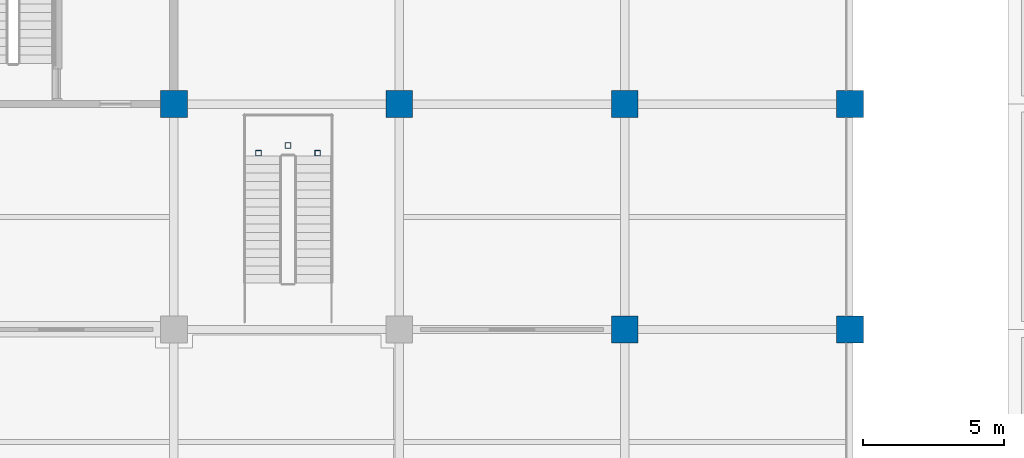
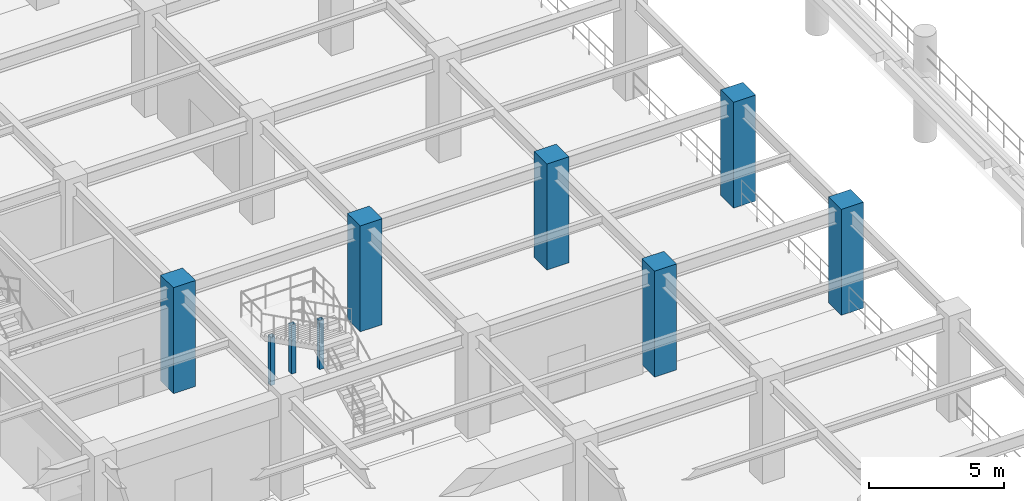
# One storey, part 4 of 109: 9 columns.
"""IFC4 building model written with IfcOpenShell, lengths in metres."""

from ifc_helpers import new_model, si_unit, direction, frame, origin, origin_2d, place, context, subcontext, project, spatial, rectangle, hollow_rectangle, extrude, material, material_profile, profile_set, type_object, element, save


model = new_model("IFC4")

# Units and contexts
model_context = context("Model", 3, precision=1e-05, world=origin(), true_north=direction((0.0, 1.0)))
body_context = subcontext(model_context, "Body", "Model", "MODEL_VIEW")
ifc_project = project(units=[si_unit("LENGTHUNIT", "METRE"), si_unit("AREAUNIT", "SQUARE_METRE"), si_unit("VOLUMEUNIT", "CUBIC_METRE"), si_unit("PLANEANGLEUNIT", "RADIAN"), si_unit("MASSUNIT", "GRAM", prefix="KILO")], contexts=[model_context])

# Site, building, storey
site_placement = place(None, origin())
site = spatial("IfcSite", under=ifc_project, at=site_placement, CompositionType="ELEMENT")
building_placement = place(site_placement, origin())
building = spatial("IfcBuilding", under=site, at=building_placement, Name="Haebicheon Civic Stadium", CompositionType="ELEMENT")
storey_placement = place(building_placement, frame((0.0, 0.0, 9.60009765625)))
storey = spatial("IfcBuildingStorey", under=building, at=storey_placement, Name="L03", CompositionType="ELEMENT", Elevation=9.60009765625)

# Columns
ifc_material_1 = material(Name="Concrete C40/50", Category="concrete")
ifc_material_profile_1 = material_profile(ifc_material_1, rectangle(XDim=0.949951171875, YDim=0.949951171875, at=origin_2d()), Name="RC-COL-950x950")
ifc_profile_set_1 = profile_set([ifc_material_profile_1], Name="Concrete C40/50")
column_type_1 = type_object("IfcColumnType", Name="COL-RC-950", PredefinedType="COLUMN", material=ifc_profile_set_1)
for number, where, z_axis, x_axis, name in (
    (1, (40.0, 104.0, 0.0), (0.0, 0.0, 1.0), (1.0, 0.0, 0.0), "L03 column 6/P"),
    (2, (48.0, 104.0, 0.0), (0.0, 0.0, 1.0), (1.0, 0.0, 0.0), "L03 column 7/P"),
    (3, (56.0, 96.0, 0.0), (0.0, 0.0, 1.0), (1.0, 0.0, 0.0), "L03 column 8/N"),
    (4, (56.0, 104.0, 0.0), (0.0, 0.0, 1.0), (1.0, 0.0, 0.0), "L03 column 8/P"),
    (5, (64.0, 96.0, 0.0), (0.0, 0.0, 1.0), (1.0, 0.0, 0.0), "L03 column 9/N"),
    (6, (64.0, 104.0, 0.0), (0.0, 0.0, 1.0), (1.0, 0.0, 0.0), "L03 column 9/P"),
):
    element("IfcColumn", number, at=place(storey_placement, frame(where, z_axis=z_axis, x_axis=x_axis)), inside=storey, type_object=column_type_1, material=ifc_profile_set_1, Name=name, PredefinedType="COLUMN", context=body_context, shape_type="SweptSolid", body=[
        extrude(rectangle(XDim=0.949951171875, YDim=0.949951171875, at=origin_2d()), origin(), (0.0, 0.0, 1.0), 4.7998046875),
    ])
ifc_material_2 = material(Name="Steel SM355 (S355)", Category="steel")
ifc_material_profile_2 = material_profile(ifc_material_2, hollow_rectangle(XDim=0.199951171875, YDim=0.199951171875, WallThickness=0.009033203125, at=origin_2d()), Name="RHS-200x200x9.0")
ifc_profile_set_2 = profile_set([ifc_material_profile_2], Name="Steel SM355 (S355)")
column_type_2 = type_object("IfcColumnType", Name="COL-ST-RHS200", PredefinedType="COLUMN", material=ifc_profile_set_2)
for number, where, z_axis, x_axis, name in (
    (7, (43.0, 102.260009765625, 0.0), (0.0, 0.0, 1.0), (1.0, 0.0, 0.0), "VM-05 L03 vomitory landing support post A"),
    (8, (45.10009765625, 102.260009765625, 0.0), (0.0, 0.0, 1.0), (1.0, 0.0, 0.0), "VM-05 L03 vomitory landing support post B"),
    (9, (44.050048828125, 102.530029296875, 0.0), (0.0, 0.0, 1.0), (1.0, 0.0, 0.0), "VM-05 L03 vomitory landing support post C"),
):
    element("IfcColumn", number, at=place(storey_placement, frame(where, z_axis=z_axis, x_axis=x_axis)), inside=storey, type_object=column_type_2, material=ifc_profile_set_2, Name=name, PredefinedType="COLUMN", context=body_context, shape_type="SweptSolid", body=[
        extrude(hollow_rectangle(XDim=0.199951171875, YDim=0.199951171875, WallThickness=0.009033203125, at=origin_2d()), origin(), (0.0, 0.0, 1.0), 2.199951171875),
    ])

save(model, "model.ifc")
